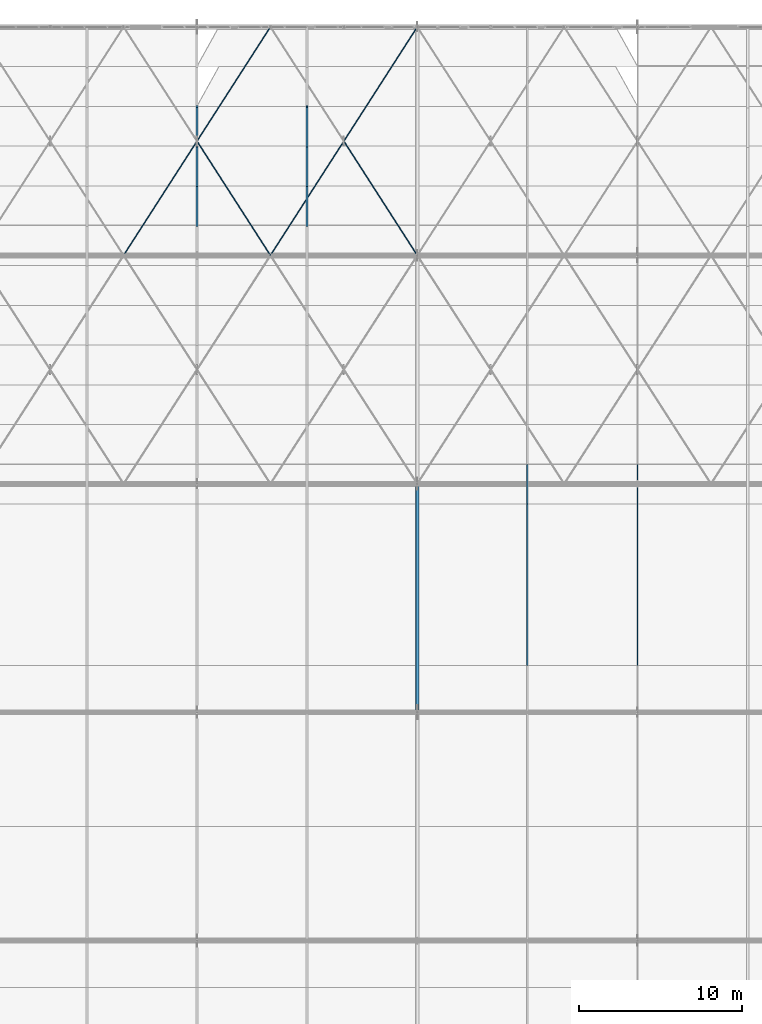
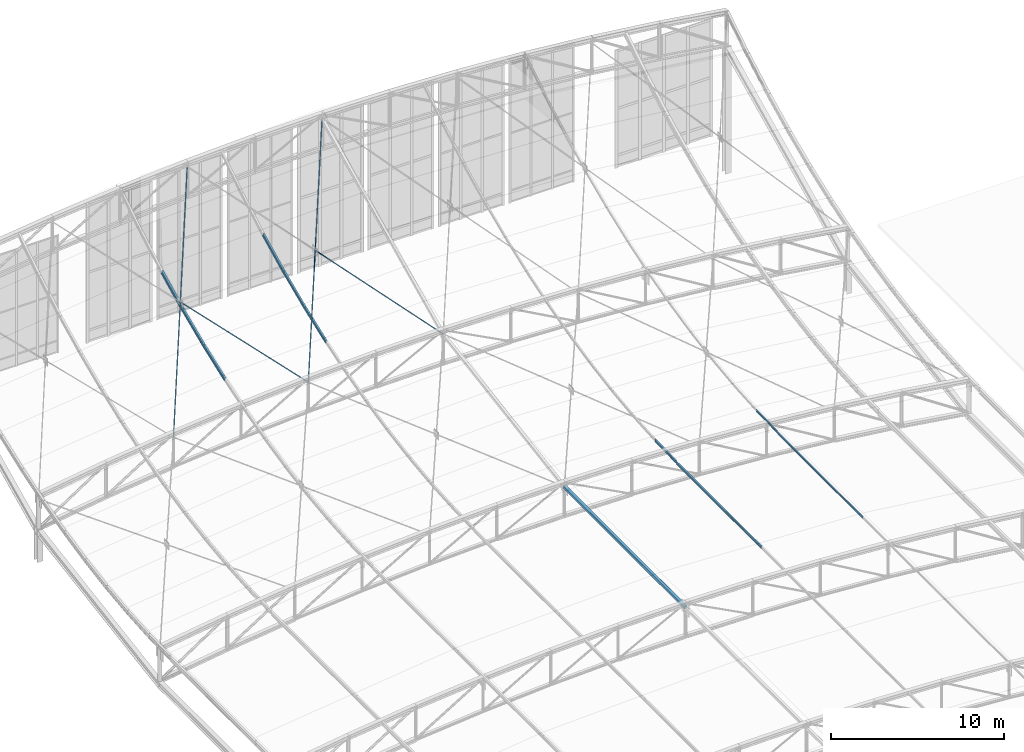
# One storey, part 178 of 262: 15 members.
"""IFC4 building model written with IfcOpenShell, lengths in metres."""

from ifc_helpers import new_model, si_unit, derived_unit, direction, frame, origin, origin_2d, place, context, subcontext, project, spatial, hollow_rectangle, hollow_circle, i_section, extrude, material, material_profile, profile_set, type_object, element, save


model = new_model("IFC4")

# Units and contexts
model_context = context("Model", 3, precision=1e-05, world=origin(), true_north=direction((0.0, 1.0)))
body_context = subcontext(model_context, "Body", "Model", "MODEL_VIEW")
ifc_project = project(units=[si_unit("LENGTHUNIT", "METRE"), si_unit("AREAUNIT", "SQUARE_METRE"), si_unit("VOLUMEUNIT", "CUBIC_METRE"), si_unit("PLANEANGLEUNIT", "RADIAN"), si_unit("MASSUNIT", "GRAM", prefix="KILO"), derived_unit("THERMALTRANSMITTANCEUNIT", [(si_unit("POWERUNIT", "WATT"), 1), (si_unit("LENGTHUNIT", "METRE"), -2), (si_unit("THERMODYNAMICTEMPERATUREUNIT", "KELVIN"), -1)])], contexts=[model_context])

# Site, building, storey
site_placement = place(None, origin())
site = spatial("IfcSite", under=ifc_project, at=site_placement, CompositionType="ELEMENT")
building_placement = place(site_placement, origin())
building = spatial("IfcBuilding", under=site, at=building_placement, Name="Almenara Railside Exhibition Hall", CompositionType="ELEMENT")
storey_placement = place(building_placement, frame((0.0, 0.0, 21.699951171875)))
storey = spatial("IfcBuildingStorey", under=building, at=storey_placement, Name="RF", CompositionType="ELEMENT", Elevation=21.699951171875)

# Members
ifc_material = material(Name="Structural steel S355JR", Category="steel")
ifc_material_profile_1 = material_profile(ifc_material, i_section(OverallWidth=0.072998046875, OverallDepth=0.139892578125, WebThickness=0.004638671875, FlangeThickness=0.0068359375, FilletRadius=0.007080078125, at=origin_2d()), Name="IPE 140")
ifc_profile_set_1 = profile_set([ifc_material_profile_1], Name="Structural steel S355JR")
member_type_1 = type_object("IfcMemberType", Name="Canopy Edge Purlin IPE 140 S355JR", PredefinedType="PURLIN", material=ifc_profile_set_1)
member_1_placement = place(storey_placement, frame((178.5, 92.8798828125, -5.53076171875), z_axis=(0.0, 1.0, 0.0), x_axis=(-1.0, 0.0, 0.0)))
element("IfcMember", 1, at=member_1_placement, inside=storey, type_object=member_type_1, Name="MEM-PR-V2-PR-IPE140-06-15", PredefinedType="PURLIN", context=body_context, shape_type="SweptSolid", body=[
    extrude(i_section(OverallWidth=0.072998046875, OverallDepth=0.139892578125, WebThickness=0.004638671875, FlangeThickness=0.0068359375, FilletRadius=0.007080078125, at=origin_2d()), origin(), (0.0, 0.0, 1.0), 9.879638671875),
])
member_2_placement = place(storey_placement, frame((178.5, 102.759521484375, -5.480712890625), z_axis=(0.0, 0.999725289903, 0.023438104182), x_axis=(-1.0, 0.0, 0.0)))
element("IfcMember", 2, at=member_2_placement, inside=storey, type_object=member_type_1, Name="MEM-PR-V2-PR-IPE140-06-16", PredefinedType="PURLIN", context=body_context, shape_type="SweptSolid", body=[
    extrude(i_section(OverallWidth=0.072998046875, OverallDepth=0.139892578125, WebThickness=0.004638671875, FlangeThickness=0.0068359375, FilletRadius=0.007080078125, at=origin_2d()), origin(), (0.0, 0.0, 1.0), 2.4375),
])
ifc_material_profile_2 = material_profile(ifc_material, hollow_rectangle(XDim=0.199951171875, YDim=0.199951171875, WallThickness=0.008056640625, InnerFilletRadius=0.008056640625, OuterFilletRadius=0.01611328125, at=origin_2d()), Name="SHS 200x200x8")
ifc_profile_set_2 = profile_set([ifc_material_profile_2], Name="Structural steel S355JR")
member_type_2 = type_object("IfcMemberType", Name="Eaves Sway Strut SHS 200x200x8 S355JR", PredefinedType="BRACE", material=ifc_profile_set_2)
member_3_placement = place(storey_placement, frame((165.0, 90.0, -5.3798828125), z_axis=(0.0, 0.999999452611, 0.001046316392), x_axis=(-1.0, 0.0, 0.0)))
element("IfcMember", 3, at=member_3_placement, inside=storey, type_object=member_type_2, Name="MEM-ES-V2-04", PredefinedType="BRACE", context=body_context, shape_type="SweptSolid", body=[
    extrude(hollow_rectangle(XDim=0.199951171875, YDim=0.199951171875, WallThickness=0.008056640625, InnerFilletRadius=0.008056640625, OuterFilletRadius=0.01611328125, at=origin_2d()), origin(), (0.0, 0.0, 1.0), 14.0),
])
ifc_material_profile_3 = material_profile(ifc_material, i_section(OverallWidth=0.110107421875, OverallDepth=0.219970703125, WebThickness=0.005859375, FlangeThickness=0.00927734375, FilletRadius=0.011962890625, at=origin_2d()), Name="IPE 220")
ifc_profile_set_3 = profile_set([ifc_material_profile_3], Name="Structural steel S355JR")
member_type_3 = type_object("IfcMemberType", Name="Heavy Hall Roof Purlin IPE 220 S355JR", PredefinedType="PURLIN", material=ifc_profile_set_3)
member_4_placement = place(storey_placement, frame((158.25, 119.81640625, -2.388427734375), z_axis=(0.0, 0.936171044044, 0.351544842508), x_axis=(-1.0, 0.0, 0.0)))
element("IfcMember", 4, at=member_4_placement, inside=storey, type_object=member_type_3, Name="MEM-PR-V2-PR-IPE220-03-23", PredefinedType="PURLIN", context=body_context, shape_type="SweptSolid", body=[
    extrude(i_section(OverallWidth=0.110107421875, OverallDepth=0.219970703125, WebThickness=0.005859375, FlangeThickness=0.00927734375, FilletRadius=0.011962890625, at=origin_2d()), origin(), (0.0, 0.0, 1.0), 2.60302734375),
])
member_5_placement = place(storey_placement, frame((158.25, 122.253173828125, -1.480224609375), z_axis=(0.0, 0.917189812532, 0.398450558775), x_axis=(-1.0, 0.0, 0.0)))
element("IfcMember", 5, at=member_5_placement, inside=storey, type_object=member_type_3, Name="MEM-PR-V2-PR-IPE220-03-24", PredefinedType="PURLIN", context=body_context, shape_type="SweptSolid", body=[
    extrude(i_section(OverallWidth=0.110107421875, OverallDepth=0.219970703125, WebThickness=0.005859375, FlangeThickness=0.00927734375, FilletRadius=0.011962890625, at=origin_2d()), origin(), (0.0, 0.0, 1.0), 2.65673828125),
])
member_6_placement = place(storey_placement, frame((158.25, 124.68994140625, -0.4296875), z_axis=(0.0, 0.895376074457, 0.445310773831), x_axis=(-1.0, 0.0, 0.0)))
element("IfcMember", 6, at=member_6_placement, inside=storey, type_object=member_type_3, Name="MEM-PR-V2-PR-IPE220-03-25", PredefinedType="PURLIN", context=body_context, shape_type="SweptSolid", body=[
    extrude(i_section(OverallWidth=0.110107421875, OverallDepth=0.219970703125, WebThickness=0.005859375, FlangeThickness=0.00927734375, FilletRadius=0.011962890625, at=origin_2d()), origin(), (0.0, 0.0, 1.0), 2.721435546875),
])
ifc_material_profile_4 = material_profile(ifc_material, hollow_circle(Radius=0.0380859375, WallThickness=0.003662109375, at=origin_2d()), Name="CHS 76.1x3.6")
ifc_profile_set_4 = profile_set([ifc_material_profile_4], Name="Structural steel S355JR")
member_type_4 = type_object("IfcMemberType", Name="Lantern Cross-Tie Brace CHS 76.1x3.6 S355JR", PredefinedType="BRACE", material=ifc_profile_set_4)
member_7_placement = place(storey_placement, frame((147.0, 118.0, -4.07421875), z_axis=(0.493566331867, 0.767769849571, 0.40856056361), x_axis=(-0.841178475377, 0.540757591313, 0.0)))
element("IfcMember", 7, at=member_7_placement, inside=storey, type_object=member_type_4, Name="MEM-WB-V2-WB-CHS76-06-02-C", PredefinedType="BRACE", context=body_context, shape_type="SweptSolid", body=[
    extrude(hollow_circle(Radius=0.0380859375, WallThickness=0.003662109375, at=origin_2d()), origin(), (0.0, 0.0, 1.0), 18.234619140625),
])
member_8_placement = place(storey_placement, frame((156.0, 118.0, -3.3408203125), z_axis=(-0.508864256953, 0.791591279787, 0.338290428126), x_axis=(-0.841186137461, -0.540745672329, 0.0)))
element("IfcMember", 8, at=member_8_placement, inside=storey, type_object=member_type_4, Name="MEM-WB-V2-WB-CHS76-06-02-S1", PredefinedType="BRACE", context=body_context, shape_type="SweptSolid", body=[
    extrude(hollow_circle(Radius=0.0380859375, WallThickness=0.003662109375, at=origin_2d()), origin(), (0.0, 0.0, 1.0), 8.801025390625),
])
member_9_placement = place(storey_placement, frame((156.0, 118.0, -3.3408203125), z_axis=(0.498881349565, 0.776037654879, 0.385853543804), x_axis=(-0.841178475377, 0.540757591313, 0.0)))
element("IfcMember", 9, at=member_9_placement, inside=storey, type_object=member_type_4, Name="MEM-WB-V2-WB-CHS76-06-04-C", PredefinedType="BRACE", context=body_context, shape_type="SweptSolid", body=[
    extrude(hollow_circle(Radius=0.0380859375, WallThickness=0.003662109375, at=origin_2d()), origin(), (0.0, 0.0, 1.0), 18.040283203125),
])
member_10_placement = place(storey_placement, frame((165.0, 118.0, -3.096435546875), z_axis=(-0.503984535325, 0.783985101366, 0.362445787655), x_axis=(-0.841181348561, -0.540753121889, 0.0)))
element("IfcMember", 10, at=member_10_placement, inside=storey, type_object=member_type_4, Name="MEM-WB-V2-WB-CHS76-06-04-S1", PredefinedType="BRACE", context=body_context, shape_type="SweptSolid", body=[
    extrude(hollow_circle(Radius=0.0380859375, WallThickness=0.003662109375, at=origin_2d()), origin(), (0.0, 0.0, 1.0), 8.88671875),
])
ifc_material_profile_5 = material_profile(ifc_material, i_section(OverallWidth=0.091064453125, OverallDepth=0.179931640625, WebThickness=0.00537109375, FlangeThickness=0.008056640625, FilletRadius=0.009033203125, at=origin_2d()), Name="IPE 180")
ifc_profile_set_5 = profile_set([ifc_material_profile_5], Name="Structural steel S355JR")
member_type_5 = type_object("IfcMemberType", Name="Plenary Roof Purlin IPE 180 S355JR", PredefinedType="PURLIN", material=ifc_profile_set_5)
member_11_placement = place(storey_placement, frame((171.75, 92.8798828125, -5.2744140625), z_axis=(0.0, 1.0, 0.0), x_axis=(-1.0, 0.0, 0.0)))
element("IfcMember", 11, at=member_11_placement, inside=storey, type_object=member_type_5, Name="MEM-PR-V2-PR-IPE180-05-15", PredefinedType="PURLIN", context=body_context, shape_type="SweptSolid", body=[
    extrude(i_section(OverallWidth=0.091064453125, OverallDepth=0.179931640625, WebThickness=0.00537109375, FlangeThickness=0.008056640625, FilletRadius=0.009033203125, at=origin_2d()), origin(), (0.0, 0.0, 1.0), 9.879638671875),
])
member_12_placement = place(storey_placement, frame((171.75, 102.759521484375, -5.224609375), z_axis=(0.0, 0.999725289903, 0.023438104182), x_axis=(-1.0, 0.0, 0.0)))
element("IfcMember", 12, at=member_12_placement, inside=storey, type_object=member_type_5, Name="MEM-PR-V2-PR-IPE180-05-16", PredefinedType="PURLIN", context=body_context, shape_type="SweptSolid", body=[
    extrude(i_section(OverallWidth=0.091064453125, OverallDepth=0.179931640625, WebThickness=0.00537109375, FlangeThickness=0.008056640625, FilletRadius=0.009033203125, at=origin_2d()), origin(), (0.0, 0.0, 1.0), 2.4375),
])
ifc_material_profile_6 = material_profile(ifc_material, i_section(OverallWidth=0.1201171875, OverallDepth=0.239990234375, WebThickness=0.006103515625, FlangeThickness=0.009765625, FilletRadius=0.014892578125, at=origin_2d()), Name="IPE 240")
ifc_profile_set_6 = profile_set([ifc_material_profile_6], Name="Structural steel S355JR")
member_type_6 = type_object("IfcMemberType", Name="Scroll Roof Purlin IPE 240 S355JR", PredefinedType="PURLIN", material=ifc_profile_set_6)
member_13_placement = place(storey_placement, frame((151.5, 119.81640625, -2.676513671875), z_axis=(0.0, 0.936171044044, 0.351544842508), x_axis=(-1.0, 0.0, 0.0)))
element("IfcMember", 13, at=member_13_placement, inside=storey, type_object=member_type_6, Name="MEM-PR-V2-PR-IPE240-02-23", PredefinedType="PURLIN", context=body_context, shape_type="SweptSolid", body=[
    extrude(i_section(OverallWidth=0.1201171875, OverallDepth=0.239990234375, WebThickness=0.006103515625, FlangeThickness=0.009765625, FilletRadius=0.014892578125, at=origin_2d()), origin(), (0.0, 0.0, 1.0), 2.60302734375),
])
member_14_placement = place(storey_placement, frame((151.5, 122.253173828125, -1.768310546875), z_axis=(0.0, 0.917223393452, 0.398373250237), x_axis=(-1.0, 0.0, 0.0)))
element("IfcMember", 14, at=member_14_placement, inside=storey, type_object=member_type_6, Name="MEM-PR-V2-PR-IPE240-02-24", PredefinedType="PURLIN", context=body_context, shape_type="SweptSolid", body=[
    extrude(i_section(OverallWidth=0.1201171875, OverallDepth=0.239990234375, WebThickness=0.006103515625, FlangeThickness=0.009765625, FilletRadius=0.014892578125, at=origin_2d()), origin(), (0.0, 0.0, 1.0), 2.65673828125),
])
member_15_placement = place(storey_placement, frame((151.5, 124.68994140625, -0.71826171875), z_axis=(0.0, 0.895376074457, 0.445310773831), x_axis=(-1.0, 0.0, 0.0)))
element("IfcMember", 15, at=member_15_placement, inside=storey, type_object=member_type_6, Name="MEM-PR-V2-PR-IPE240-02-25", PredefinedType="PURLIN", context=body_context, shape_type="SweptSolid", body=[
    extrude(i_section(OverallWidth=0.1201171875, OverallDepth=0.239990234375, WebThickness=0.006103515625, FlangeThickness=0.009765625, FilletRadius=0.014892578125, at=origin_2d()), origin(), (0.0, 0.0, 1.0), 2.721435546875),
])

save(model, "model.ifc")
